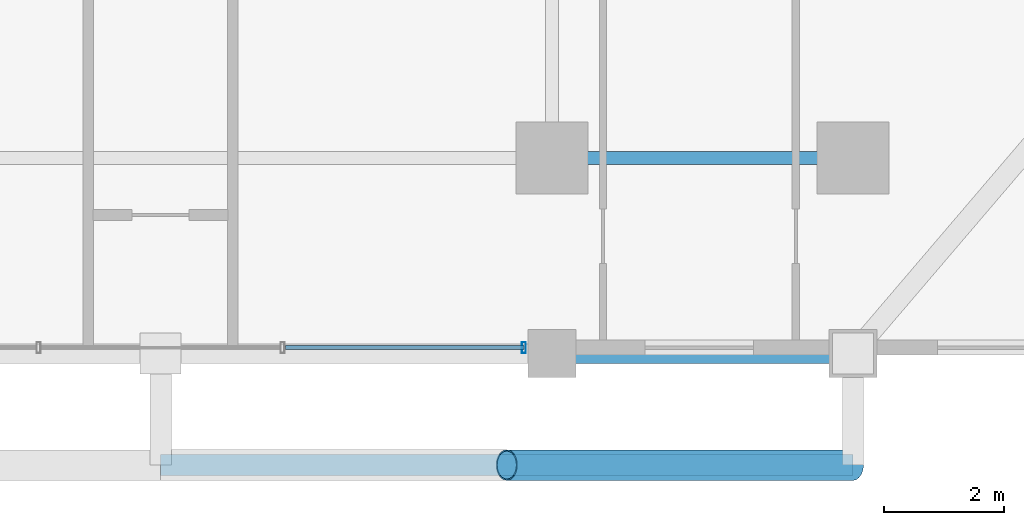
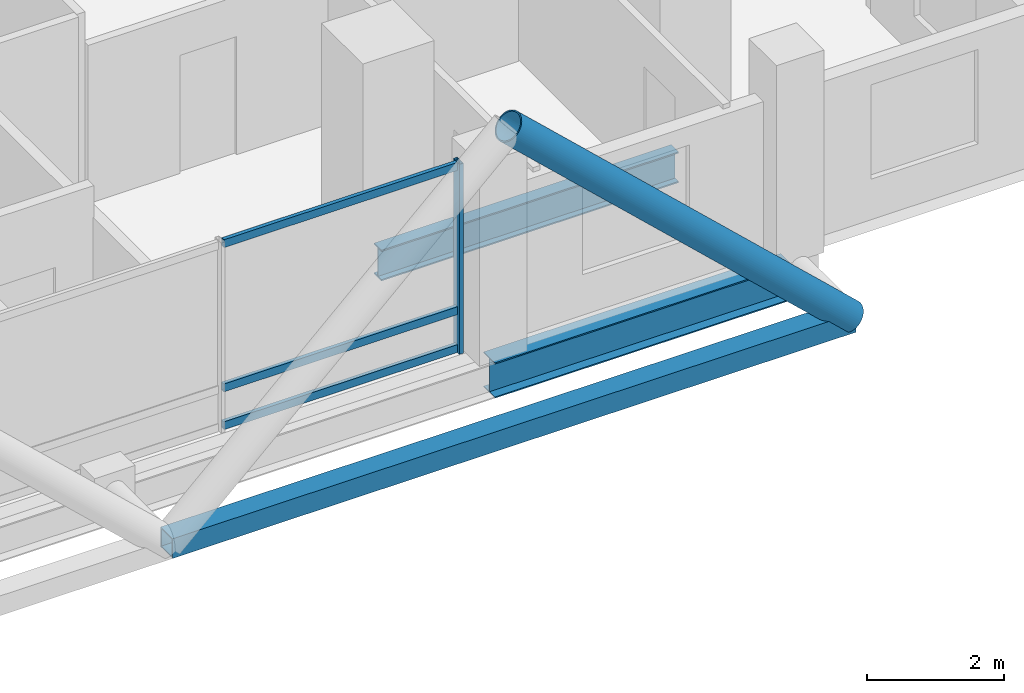
# One storey, part 3 of 24: 6 members, 2 beams, 1 element without a shape of its own.
"""IFC4 building model written with IfcOpenShell, lengths in metres."""

from ifc_helpers import new_model, si_unit, direction, frame, origin, origin_2d, place, context, subcontext, project, spatial, hollow_rectangle, hollow_circle, i_section, extrude, material, layer, layer_set, material_profile, profile_set, type_object, element, aggregate, save


model = new_model("IFC4")

# Units and contexts
model_context = context("Model", 3, precision=1e-05, world=origin(), true_north=direction((0.0, 1.0)))
body_context = subcontext(model_context, "Body", "Model", "MODEL_VIEW")
ifc_project = project(units=[si_unit("LENGTHUNIT", "METRE"), si_unit("AREAUNIT", "SQUARE_METRE"), si_unit("VOLUMEUNIT", "CUBIC_METRE"), si_unit("PLANEANGLEUNIT", "RADIAN"), si_unit("MASSUNIT", "GRAM", prefix="KILO")], contexts=[model_context])

# Site, building, storey
site_placement = place(None, origin())
site = spatial("IfcSite", under=ifc_project, at=site_placement, CompositionType="ELEMENT")
building_placement = place(site_placement, origin())
building = spatial("IfcBuilding", under=site, at=building_placement, Name="Barlavira Tower and Art Museum", CompositionType="ELEMENT")
storey_placement = place(building_placement, frame((0.0, 0.0, 154.800048828125)))
storey = spatial("IfcBuildingStorey", under=building, at=storey_placement, Name="L39", CompositionType="ELEMENT", Elevation=154.800048828125)

# Curtain wall, members
ifc_material_1 = material(Name="Low-iron coastal laminated glass", Category="glass")
ifc_layer = layer(ifc_material_1, 0.18994140625, Name="Low-iron coastal laminated glass")
ifc_layer_set = layer_set([ifc_layer], Name="Low-iron coastal laminated glass")
curtain_wall_type = type_object("IfcCurtainWallType", Name="Pale-Metal Unitised Curtain Wall Zone 2", PredefinedType="NOTDEFINED", material=ifc_layer_set)
curtain_wall_placement = place(storey_placement, origin())
curtain_wall = element("IfcCurtainWall", 1, at=curtain_wall_placement, inside=storey, type_object=curtain_wall_type, Name="L39 Curtain Wall CW2-L39-S-B3", PredefinedType="NOTDEFINED")
ifc_material_2 = material(Name="Pale anodised aluminium", Category="aluminium")
ifc_material_profile_1 = material_profile(ifc_material_2, hollow_rectangle(XDim=0.06494140625, YDim=0.179931640625, WallThickness=0.00390625, at=origin_2d()), Name="ALU-MULL 65x180x4")
ifc_profile_set_1 = profile_set([ifc_material_profile_1], Name="Pale anodised aluminium")
member_type_1 = type_object("IfcMemberType", Name="Curtain Wall Pale-Metal Mullion 65x180", PredefinedType="MULLION", material=ifc_profile_set_1)
member_1_placement = place(storey_placement, frame((6.034912109375, -23.14990234375, 0.0), z_axis=(0.0, 0.0, 1.0), x_axis=(1.0, 0.0, 0.0)))
member_1 = element("IfcMember", 2, at=member_1_placement, type_object=member_type_1, Name="CW2-L39-S-B3 Mullion 3", PredefinedType="MULLION", context=body_context, shape_type="SweptSolid", body=[
    extrude(hollow_rectangle(XDim=0.06494140625, YDim=0.179931640625, WallThickness=0.00390625, at=origin_2d()), origin(), (0.0, 0.0, 1.0), 3.3798828125),
])
ifc_material_profile_2 = material_profile(ifc_material_2, hollow_rectangle(XDim=0.06494140625, YDim=0.139892578125, WallThickness=0.00390625, at=origin_2d()), Name="ALU-TRAN 65x140x4")
ifc_profile_set_2 = profile_set([ifc_material_profile_2], Name="Pale anodised aluminium")
member_type_2 = type_object("IfcMemberType", Name="Curtain Wall Pale-Metal Transom 65x140", PredefinedType="USERDEFINED", material=ifc_profile_set_2)
member_2_placement = place(storey_placement, frame((2.07177734375, -23.14990234375, 0.070068359375), z_axis=(1.0, 0.0, 0.0), x_axis=(0.0, 1.0, 0.0)))
member_2 = element("IfcMember", 3, at=member_2_placement, type_object=member_type_2, Name="CW2-L39-S-B3 Transom 2.1", ObjectType="TRANSOM", PredefinedType="USERDEFINED", context=body_context, shape_type="SweptSolid", body=[
    extrude(hollow_rectangle(XDim=0.06494140625, YDim=0.139892578125, WallThickness=0.00390625, at=origin_2d()), origin(), (0.0, 0.0, 1.0), 3.963134765625),
])
member_3_placement = place(storey_placement, frame((2.07177734375, -23.14990234375, 0.743896484375), z_axis=(1.0, 0.0, 0.0), x_axis=(0.0, 1.0, 0.0)))
member_3 = element("IfcMember", 4, at=member_3_placement, type_object=member_type_2, Name="CW2-L39-S-B3 Transom 2.2", ObjectType="TRANSOM", PredefinedType="USERDEFINED", context=body_context, shape_type="SweptSolid", body=[
    extrude(hollow_rectangle(XDim=0.06494140625, YDim=0.139892578125, WallThickness=0.00390625, at=origin_2d()), origin(), (0.0, 0.0, 1.0), 3.963134765625),
])
member_4_placement = place(storey_placement, frame((2.07177734375, -23.14990234375, 3.31005859375), z_axis=(1.0, 0.0, 0.0), x_axis=(0.0, 1.0, 0.0)))
member_4 = element("IfcMember", 5, at=member_4_placement, type_object=member_type_2, Name="CW2-L39-S-B3 Transom 2.3", ObjectType="TRANSOM", PredefinedType="USERDEFINED", context=body_context, shape_type="SweptSolid", body=[
    extrude(hollow_rectangle(XDim=0.06494140625, YDim=0.139892578125, WallThickness=0.00390625, at=origin_2d()), origin(), (0.0, 0.0, 1.0), 3.963134765625),
])
aggregate(curtain_wall, [member_1, member_2, member_3, member_4])

# Members
ifc_material_3 = material(Name="Steel S355", Category="steel")
ifc_material_profile_3 = material_profile(ifc_material_3, hollow_circle(Radius=0.25390625, WallThickness=0.022216796875, at=origin_2d()), Name="CHS 508.0x22.2")
ifc_profile_set_3 = profile_set([ifc_material_profile_3], Name="Steel S355")
member_type_3 = type_object("IfcMemberType", Name="Pale-Metal Exoskeleton Diagrid Tube CHS 508x22 Steel S355", PredefinedType="BRACE", material=ifc_profile_set_3)
member_5_placement = place(storey_placement, frame((11.5, -25.10009765625, -0.1201171875), z_axis=(-0.728934650808, 0.0, 0.684583285548), x_axis=(0.0, -1.0, 0.0)))
element("IfcMember", 6, at=member_5_placement, inside=storey, type_object=member_type_3, Name="L39 Exoskeleton Diagrid Tube S", PredefinedType="BRACE", context=body_context, shape_type="SweptSolid", body=[
    extrude(hollow_circle(Radius=0.25390625, WallThickness=0.022216796875, at=origin_2d()), origin(), (0.0, 0.0, 1.0), 7.88818359375),
])
ifc_material_profile_4 = material_profile(ifc_material_3, hollow_rectangle(XDim=0.35009765625, YDim=0.35009765625, WallThickness=0.02001953125, at=origin_2d()), Name="SHS 350x350x20.0")
ifc_profile_set_4 = profile_set([ifc_material_profile_4], Name="Steel S355")
member_type_4 = type_object("IfcMemberType", Name="Pale-Metal Exoskeleton Ring Strut SHS 350x350x20 Steel S355", PredefinedType="STRUT", material=ifc_profile_set_4)
member_6_placement = place(storey_placement, frame((0.0, -25.10009765625, -0.1201171875), z_axis=(1.0, 0.0, 0.0), x_axis=(0.0, 1.0, 0.0)))
element("IfcMember", 7, at=member_6_placement, inside=storey, type_object=member_type_4, Name="L39 Exoskeleton Ring Strut S", PredefinedType="STRUT", context=body_context, shape_type="SweptSolid", body=[
    extrude(hollow_rectangle(XDim=0.35009765625, YDim=0.35009765625, WallThickness=0.02001953125, at=origin_2d()), origin(), (0.0, 0.0, 1.0), 11.5),
])

# Beams
ifc_material_profile_5 = material_profile(ifc_material_3, i_section(OverallWidth=0.327880859375, OverallDepth=0.62890625, WebThickness=0.013916015625, FlangeThickness=0.021484375, at=origin_2d()), Name="W610x174.0")
ifc_profile_set_5 = profile_set([ifc_material_profile_5], Name="Steel S355")
beam_type_1 = type_object("IfcBeamType", Name="Perimeter Spandrel Edge Beam W610x174 Steel S355", PredefinedType="SPANDREL", material=ifc_profile_set_5)
beam_1_placement = place(storey_placement, frame((6.5, -23.25, -0.53466796875), z_axis=(1.0, 0.0, 0.0), x_axis=(0.0, 1.0, 0.0)))
element("IfcBeam", 8, at=beam_1_placement, inside=storey, type_object=beam_type_1, Name="L39 Spandrel 3", PredefinedType="SPANDREL", context=body_context, shape_type="SweptSolid", body=[
    extrude(i_section(OverallWidth=0.327880859375, OverallDepth=0.62890625, WebThickness=0.013916015625, FlangeThickness=0.021484375, at=origin_2d()), origin(), (0.0, 0.0, 1.0), 5.0),
])
ifc_material_profile_6 = material_profile(ifc_material_3, i_section(OverallWidth=0.214111328125, OverallDepth=0.549072265625, WebThickness=0.0146484375, FlangeThickness=0.023681640625, at=origin_2d()), Name="W530x138.0")
ifc_profile_set_6 = profile_set([ifc_material_profile_6], Name="Steel S355")
beam_type_2 = type_object("IfcBeamType", Name="Zone 1 Primary Floor Girder W530x138 Steel S355", PredefinedType="BEAM", material=ifc_profile_set_6)
beam_2_placement = place(storey_placement, frame((6.5, -20.0, -0.49462890625), z_axis=(1.0, 0.0, 0.0), x_axis=(0.0, 1.0, 0.0)))
element("IfcBeam", 9, at=beam_2_placement, inside=storey, type_object=beam_type_2, Name="L39 Girder M-S3", PredefinedType="BEAM", context=body_context, shape_type="SweptSolid", body=[
    extrude(i_section(OverallWidth=0.214111328125, OverallDepth=0.549072265625, WebThickness=0.0146484375, FlangeThickness=0.023681640625, at=origin_2d()), origin(), (0.0, 0.0, 1.0), 5.0),
])

save(model, "model.ifc")
